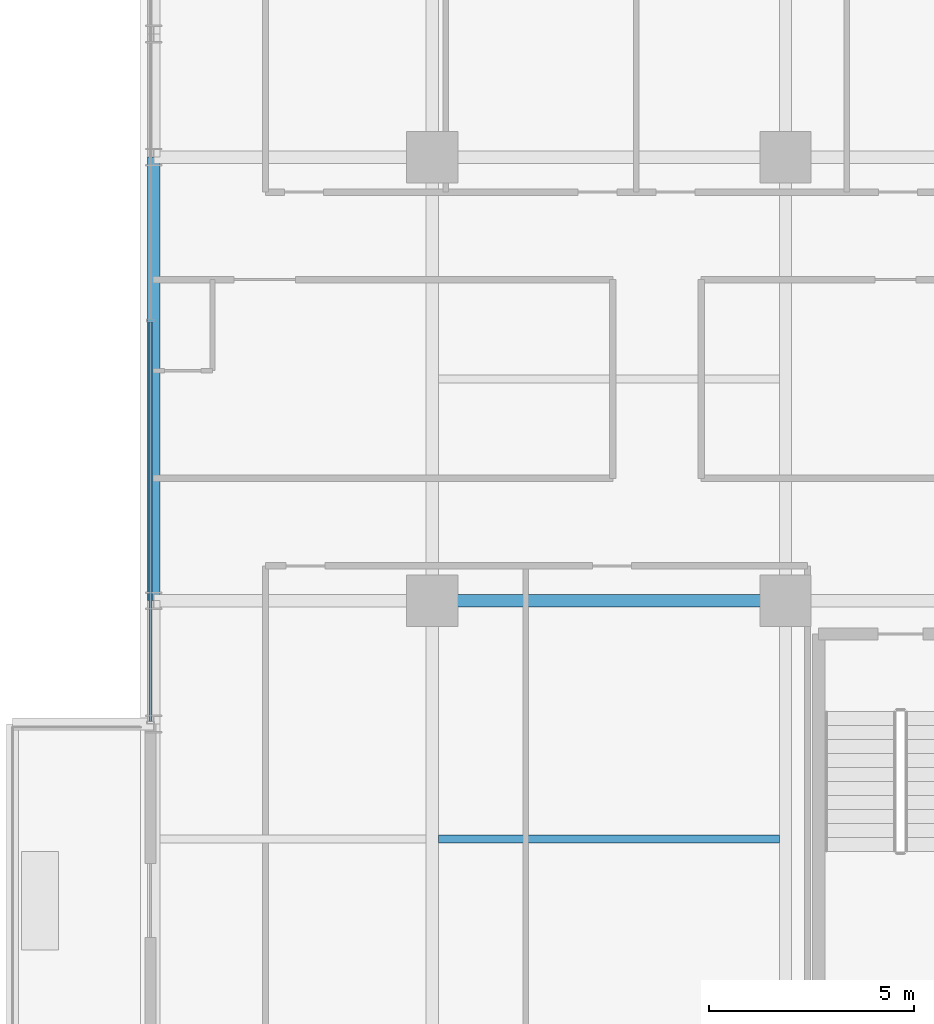
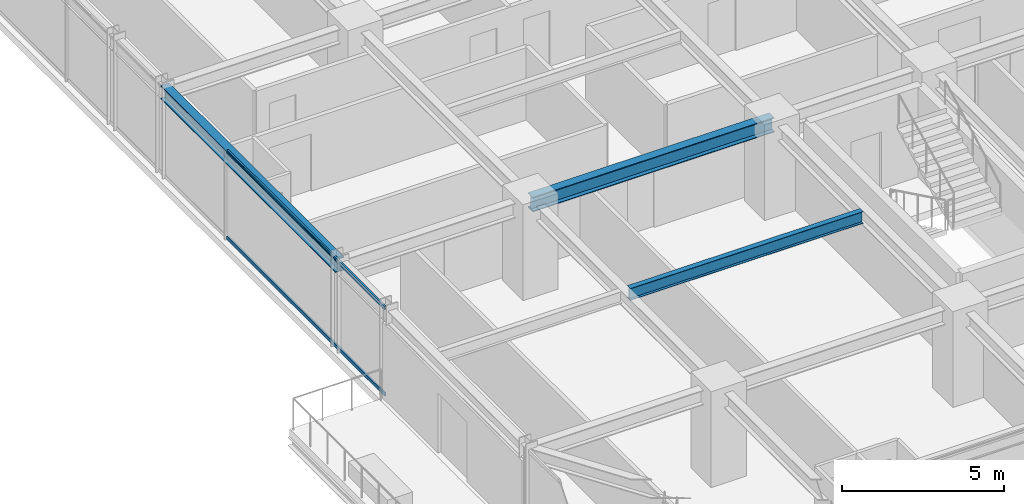
# One storey, part 7 of 31: 3 beams, 2 members, 1 element without a shape of its own.
"""IFC4 building model written with IfcOpenShell, lengths in metres."""

from ifc_helpers import new_model, si_unit, direction, frame, origin, origin_2d, place, context, subcontext, project, spatial, hollow_rectangle, i_section, extrude, source, transform, mapped, material, material_profile, profile_set, type_object, element, aggregate, save


model = new_model("IFC4")

# Units and contexts
model_context = context("Model", 3, precision=1e-05, world=origin(), true_north=direction((0.0, 1.0)))
body_context = subcontext(model_context, "Body", "Model", "MODEL_VIEW")
ifc_project = project(units=[si_unit("LENGTHUNIT", "METRE"), si_unit("AREAUNIT", "SQUARE_METRE"), si_unit("VOLUMEUNIT", "CUBIC_METRE"), si_unit("PLANEANGLEUNIT", "RADIAN"), si_unit("MASSUNIT", "GRAM", prefix="KILO")], contexts=[model_context])

# Site, building, storey
site_placement = place(None, origin())
site = spatial("IfcSite", under=ifc_project, at=site_placement, CompositionType="ELEMENT")
building_placement = place(site_placement, origin())
building = spatial("IfcBuilding", under=site, at=building_placement, Name="Nahalor Promenade Grand Hotel", CompositionType="ELEMENT")
storey_placement = place(building_placement, frame((0.0, 0.0, 95.60009765625)))
storey = spatial("IfcBuildingStorey", under=building, at=storey_placement, Name="L23", CompositionType="ELEMENT", Elevation=95.60009765625)

# Beams
ifc_material_1 = material(Name="Steel S355JR", Category="steel")
ifc_material_profile_1 = material_profile(ifc_material_1, i_section(OverallWidth=0.3, OverallDepth=0.5, WebThickness=0.0145, FlangeThickness=0.028, at=origin_2d()), Name="HEB 500")
ifc_profile_set_1 = profile_set([ifc_material_profile_1], Name="Steel S355JR")
beam_type_1 = type_object("IfcBeamType", Name="Beam-Spandrel-HEB500", PredefinedType="SPANDREL", material=ifc_profile_set_1)
shared_shape_1 = source(origin(), body_context, "Body", "SweptSolid", [
    extrude(i_section(OverallWidth=0.3, OverallDepth=0.5, WebThickness=0.0145, FlangeThickness=0.028, at=origin_2d()), origin(), (0.0, 0.0, 1.0), 10.7998046875),
])
beam_1_placement = place(storey_placement, frame((-23.780029296875, -5.39990234375, 3.1298828125), z_axis=(0.0, 1.0, 0.0), x_axis=(-1.0, 0.0, 0.0)))
element("IfcBeam", 1, at=beam_1_placement, inside=storey, type_object=beam_type_1, Name="BM-L23-SP-W-2", PredefinedType="SPANDREL", context=body_context, shape_type="MappedRepresentation", body=[
    mapped(shared_shape_1, transform((0.0, 0.0, 0.0), scale=1.0)),
])
ifc_material_profile_2 = material_profile(ifc_material_1, i_section(OverallWidth=0.3, OverallDepth=0.55, WebThickness=0.015, FlangeThickness=0.029, at=origin_2d()), Name="HEB 550")
ifc_profile_set_2 = profile_set([ifc_material_profile_2], Name="Steel S355JR")
beam_type_2 = type_object("IfcBeamType", Name="Beam-Girder-HEB550", PredefinedType="BEAM", material=ifc_profile_set_2)
shared_shape_2 = source(origin(), body_context, "Body", "SweptSolid", [
    extrude(i_section(OverallWidth=0.3, OverallDepth=0.55, WebThickness=0.015, FlangeThickness=0.029, at=origin_2d()), origin(), (0.0, 0.0, 1.0), 8.60009765625),
])
beam_2_placement = place(storey_placement, frame((-17.0, -5.39990234375, 3.10498046875), z_axis=(1.0, 0.0, 0.0), x_axis=(0.0, 1.0, 0.0)))
element("IfcBeam", 2, at=beam_2_placement, inside=storey, type_object=beam_type_2, Name="BM-L23-GX-1-1", PredefinedType="BEAM", context=body_context, shape_type="MappedRepresentation", body=[
    mapped(shared_shape_2, transform((0.0, 0.0, 0.0), scale=1.0)),
])
ifc_material_profile_3 = material_profile(ifc_material_1, i_section(OverallWidth=0.19, OverallDepth=0.45, WebThickness=0.0094, FlangeThickness=0.0146, at=origin_2d()), Name="IPE 450")
ifc_profile_set_3 = profile_set([ifc_material_profile_3], Name="Steel S355JR")
beam_type_3 = type_object("IfcBeamType", Name="Beam-Joist-IPE450", PredefinedType="JOIST", material=ifc_profile_set_3)
shared_shape_3 = source(origin(), body_context, "Body", "SweptSolid", [
    extrude(i_section(OverallWidth=0.19, OverallDepth=0.45, WebThickness=0.0094, FlangeThickness=0.0146, at=origin_2d()), origin(), (0.0, 0.0, 1.0), 8.300048828125),
])
beam_3_placement = place(storey_placement, frame((-16.85009765625, -11.199951171875, 3.15478515625), z_axis=(1.0, 0.0, 0.0), x_axis=(0.0, 1.0, 0.0)))
element("IfcBeam", 3, at=beam_3_placement, inside=storey, type_object=beam_type_3, Name="BM-L23-JSW-0-1", PredefinedType="JOIST", context=body_context, shape_type="MappedRepresentation", body=[
    mapped(shared_shape_3, transform((0.0, 0.0, 0.0), scale=1.0)),
])

# Curtain wall, members
ifc_material_2 = material(Name="Anodised Bronze Aluminium EN AW-6063 T6", Category="aluminium")
curtain_wall_type = type_object("IfcCurtainWallType", Name="CW2 Typical Hotel Flush Bronze Unitised Curtain Wall", PredefinedType="USERDEFINED", material=ifc_material_2)
curtain_wall_placement = place(storey_placement, origin())
curtain_wall = element("IfcCurtainWall", 4, at=curtain_wall_placement, inside=storey, type_object=curtain_wall_type, Name="L23 Curtain Wall CW-L23-W-3", ObjectType="UNITISED_CURTAIN_WALL", PredefinedType="USERDEFINED")
ifc_material_profile_4 = material_profile(ifc_material_2, hollow_rectangle(XDim=0.065, YDim=0.13, WallThickness=0.004, at=origin_2d()), Name="CWT 65x130x4")
ifc_profile_set_4 = profile_set([ifc_material_profile_4], Name="Anodised Bronze Aluminium EN AW-6063 T6")
member_type = type_object("IfcMemberType", Name="CWT2 Typical Bronze Transom 65x130", PredefinedType="USERDEFINED", material=ifc_profile_set_4)
shared_shape_4 = source(origin(), body_context, "Body", "SweptSolid", [
    extrude(hollow_rectangle(XDim=0.065, YDim=0.13, WallThickness=0.004, at=origin_2d()), origin(), (0.0, 0.0, 1.0), 9.722412109375),
])
member_1_placement = place(storey_placement, frame((-23.860107421875, -8.3349609375, 0.06494140625), z_axis=(0.0, 1.0, 0.0), x_axis=(-1.0, 0.0, 0.0)))
member_1 = element("IfcMember", 5, at=member_1_placement, type_object=member_type, Name="CW-L23-W-3 Transom 0-0", ObjectType="TRANSOM", PredefinedType="USERDEFINED", context=body_context, shape_type="MappedRepresentation", body=[
    mapped(shared_shape_4, transform((0.0, 0.0, 0.0), scale=1.0)),
])
member_2_placement = place(storey_placement, frame((-23.860107421875, -8.3349609375, 3.31494140625), z_axis=(0.0, 1.0, 0.0), x_axis=(-1.0, 0.0, 0.0)))
member_2 = element("IfcMember", 6, at=member_2_placement, type_object=member_type, Name="CW-L23-W-3 Transom 0-1", ObjectType="TRANSOM", PredefinedType="USERDEFINED", context=body_context, shape_type="MappedRepresentation", body=[
    mapped(shared_shape_4, transform((0.0, 0.0, 0.0), scale=1.0)),
])
aggregate(curtain_wall, [member_1, member_2])

save(model, "model.ifc")
